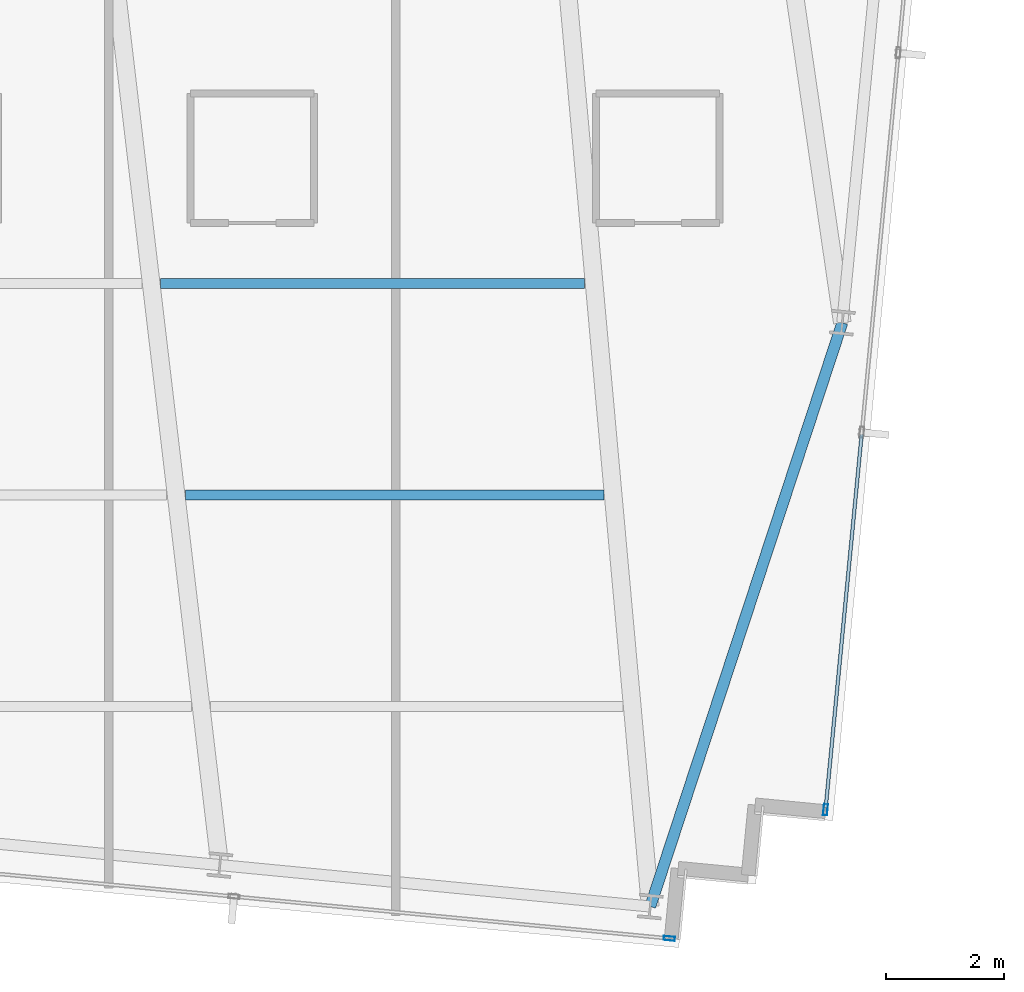
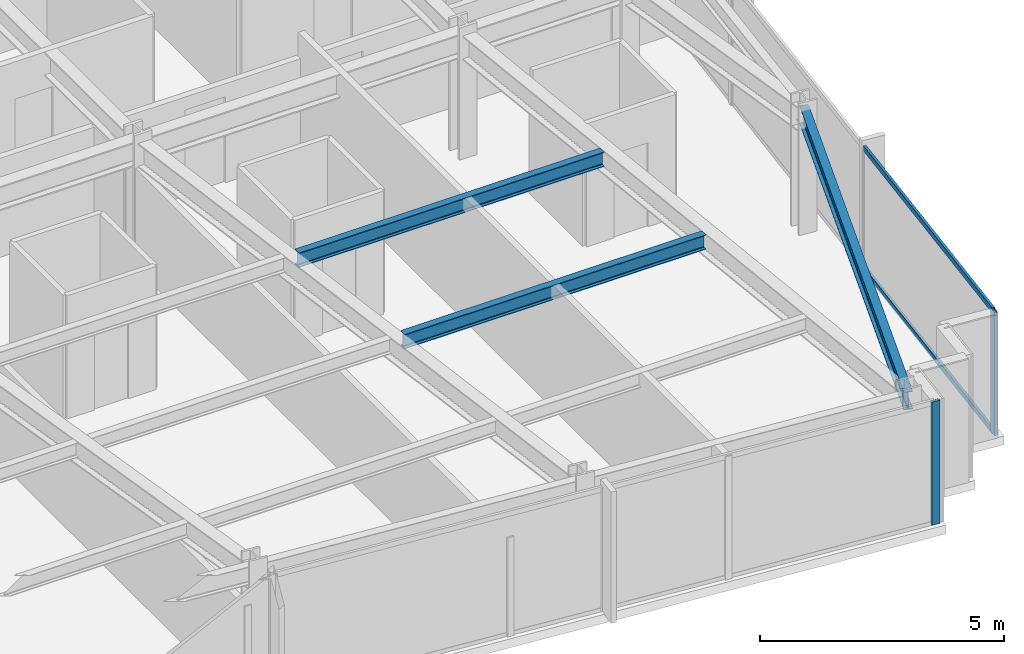
# One storey, part 14 of 38: 4 members, 3 beams, 2 elements without a shape of their own.
"""IFC4 building model written with IfcOpenShell, lengths in metres."""

from ifc_helpers import new_model, si_unit, direction, frame, origin, origin_2d, place, context, subcontext, project, spatial, hollow_rectangle, i_section, extrude, material, material_profile, profile_set, type_object, element, aggregate, save


model = new_model("IFC4")

# Units and contexts
model_context = context("Model", 3, precision=1e-05, world=origin(), true_north=direction((0.0, 1.0)))
body_context = subcontext(model_context, "Body", "Model", "MODEL_VIEW")
ifc_project = project(units=[si_unit("LENGTHUNIT", "METRE"), si_unit("AREAUNIT", "SQUARE_METRE"), si_unit("VOLUMEUNIT", "CUBIC_METRE"), si_unit("PLANEANGLEUNIT", "RADIAN"), si_unit("MASSUNIT", "GRAM", prefix="KILO")], contexts=[model_context])

# Site, building, storey
site_placement = place(None, origin())
site = spatial("IfcSite", under=ifc_project, at=site_placement, CompositionType="ELEMENT")
building_placement = place(site_placement, origin())
building = spatial("IfcBuilding", under=site, at=building_placement, Name="Yelkora Congress Tower", CompositionType="ELEMENT")
storey_placement = place(building_placement, frame((0.0, 0.0, 172.10009765625)))
storey = spatial("IfcBuildingStorey", under=building, at=storey_placement, Name="L47", CompositionType="ELEMENT", Elevation=172.10009765625)

# Beams
ifc_material_1 = material(Name="Steel S355J2", Category="steel")
ifc_material_profile_1 = material_profile(ifc_material_1, i_section(OverallWidth=0.169921875, OverallDepth=0.360107421875, WebThickness=0.008056640625, FlangeThickness=0.0126953125, FilletRadius=0.01806640625, at=origin_2d()), Name="IPE 360")
ifc_profile_set_1 = profile_set([ifc_material_profile_1], Name="Steel S355J2")
beam_type_1 = type_object("IfcBeamType", Name="BM-JOIST-IPE360", PredefinedType="JOIST", material=ifc_profile_set_1)
beam_1_placement = place(storey_placement, frame((47.27587890625, 16.421142578125, 2.89990234375), z_axis=(1.0, 0.0, 0.0), x_axis=(0.0, 1.0, 0.0)))
element("IfcBeam", 1, at=beam_1_placement, inside=storey, type_object=beam_type_1, Name="L47 Composite Floor Joist 11", PredefinedType="JOIST", context=body_context, shape_type="SweptSolid", body=[
    extrude(i_section(OverallWidth=0.169921875, OverallDepth=0.360107421875, WebThickness=0.008056640625, FlangeThickness=0.0126953125, FilletRadius=0.01806640625, at=origin_2d()), origin(), (0.0, 0.0, 1.0), 7.115234375),
])
beam_2_placement = place(storey_placement, frame((46.851318359375, 20.021240234375, 2.89990234375), z_axis=(1.0, 0.0, 0.0), x_axis=(0.0, 1.0, 0.0)))
element("IfcBeam", 2, at=beam_2_placement, inside=storey, type_object=beam_type_1, Name="L47 Composite Floor Joist 18", PredefinedType="JOIST", context=body_context, shape_type="SweptSolid", body=[
    extrude(i_section(OverallWidth=0.169921875, OverallDepth=0.360107421875, WebThickness=0.008056640625, FlangeThickness=0.0126953125, FilletRadius=0.01806640625, at=origin_2d()), origin(), (0.0, 0.0, 1.0), 7.215576171875),
])
ifc_material_profile_2 = material_profile(ifc_material_1, i_section(OverallWidth=0.18994140625, OverallDepth=0.449951171875, WebThickness=0.009521484375, FlangeThickness=0.0146484375, FilletRadius=0.02099609375, at=origin_2d()), Name="IPE 450")
ifc_profile_set_2 = profile_set([ifc_material_profile_2], Name="Steel S355J2")
beam_type_2 = type_object("IfcBeamType", Name="BM-SPAN-IPE450", PredefinedType="SPANDREL", material=ifc_profile_set_2)
beam_3_placement = place(storey_placement, frame((55.18212890625, 9.421142578125, 2.85498046875), z_axis=(0.312456737339, 0.949931990877, 0.0), x_axis=(-0.949931990877, 0.312456737339, 0.0)))
element("IfcBeam", 3, at=beam_3_placement, inside=storey, type_object=beam_type_2, Name="L47 Perimeter Beam 9", PredefinedType="SPANDREL", context=body_context, shape_type="SweptSolid", body=[
    extrude(i_section(OverallWidth=0.18994140625, OverallDepth=0.449951171875, WebThickness=0.009521484375, FlangeThickness=0.0146484375, FilletRadius=0.02099609375, at=origin_2d()), origin(), (0.0, 0.0, 1.0), 10.4560546875),
])

# Curtain wall, member
ifc_material_2 = material(Name="Anodised aluminium and insulated glass", Category="aluminium")
curtain_wall_type = type_object("IfcCurtainWallType", Name="CW-SYS-B3", PredefinedType="NOTDEFINED", material=ifc_material_2)
curtain_wall_1_placement = place(storey_placement, origin())
curtain_wall_1 = element("IfcCurtainWall", 4, at=curtain_wall_1_placement, inside=storey, type_object=curtain_wall_type, Name="L47 Unitised Curtain Wall 15", PredefinedType="NOTDEFINED")
ifc_material_3 = material(Name="Anodised aluminium 6063-T6", Category="aluminium")
ifc_material_profile_3 = material_profile(ifc_material_3, hollow_rectangle(XDim=0.070068359375, YDim=0.18994140625, WallThickness=0.00390625, at=origin_2d()), Name="ALU 70x190x4")
ifc_profile_set_3 = profile_set([ifc_material_profile_3], Name="Anodised aluminium 6063-T6")
member_type_1 = type_object("IfcMemberType", Name="MEM-ML-B3", PredefinedType="MULLION", material=ifc_profile_set_3)
member_1_placement = place(storey_placement, frame((58.163818359375, 11.068115234375, 0.0), z_axis=(0.0, 0.0, 1.0), x_axis=(0.995396565076, -0.095841944023, 0.0)))
member_1 = element("IfcMember", 5, at=member_1_placement, type_object=member_type_1, Name="CW-B3 mullion 6", PredefinedType="MULLION", context=body_context, shape_type="SweptSolid", body=[
    extrude(hollow_rectangle(XDim=0.070068359375, YDim=0.18994140625, WallThickness=0.00390625, at=origin_2d()), origin(), (0.0, 0.0, 1.0), 3.079833984375),
])

curtain_wall_2_placement = place(storey_placement, origin())
curtain_wall_2 = element("IfcCurtainWall", 6, at=curtain_wall_2_placement, inside=storey, type_object=curtain_wall_type, Name="L47 Unitised Curtain Wall 20", PredefinedType="NOTDEFINED")
member_2_placement = place(storey_placement, frame((55.506591796875, 8.877685546875, 0.0), z_axis=(0.0, 0.0, 1.0), x_axis=(-0.095844680679, -0.995396301573, 0.0)))
member_2 = element("IfcMember", 7, at=member_2_placement, type_object=member_type_1, Name="CW-B3 mullion 1", PredefinedType="MULLION", context=body_context, shape_type="SweptSolid", body=[
    extrude(hollow_rectangle(XDim=0.070068359375, YDim=0.18994140625, WallThickness=0.00390625, at=origin_2d()), origin(), (0.0, 0.0, 1.0), 3.079833984375),
])
aggregate(curtain_wall_2, [member_2])

# Member
ifc_material_profile_4 = material_profile(ifc_material_3, hollow_rectangle(XDim=0.06005859375, YDim=0.1298828125, WallThickness=0.00390625, at=origin_2d()), Name="ALU 60x130x4")
ifc_profile_set_4 = profile_set([ifc_material_profile_4], Name="Anodised aluminium 6063-T6")
member_type_2 = type_object("IfcMemberType", Name="MEM-TR-B3", PredefinedType="USERDEFINED", material=ifc_profile_set_4)
member_3_placement = place(storey_placement, frame((58.778564453125, 17.45263671875, 0.02978515625), z_axis=(-0.095869192297, -0.995393941095, 0.0), x_axis=(0.995393941095, -0.095869192297, 0.0)))
member_3 = element("IfcMember", 8, at=member_3_placement, type_object=member_type_2, Name="CW-B3 transom 5.1", ObjectType="TRANSOM", PredefinedType="USERDEFINED", context=body_context, shape_type="SweptSolid", body=[
    extrude(hollow_rectangle(XDim=0.06005859375, YDim=0.1298828125, WallThickness=0.00390625, at=origin_2d()), origin(), (0.0, 0.0, 1.0), 6.379150390625),
])

member_4_placement = place(storey_placement, frame((58.778564453125, 17.45263671875, 3.0498046875), z_axis=(-0.095869192297, -0.995393941095, 0.0), x_axis=(0.995393941095, -0.095869192297, 0.0)))
member_4 = element("IfcMember", 9, at=member_4_placement, type_object=member_type_2, Name="CW-B3 transom 5.2", ObjectType="TRANSOM", PredefinedType="USERDEFINED", context=body_context, shape_type="SweptSolid", body=[
    extrude(hollow_rectangle(XDim=0.06005859375, YDim=0.1298828125, WallThickness=0.00390625, at=origin_2d()), origin(), (0.0, 0.0, 1.0), 6.379150390625),
])

aggregate(curtain_wall_1, [member_1, member_3, member_4])

save(model, "model.ifc")
